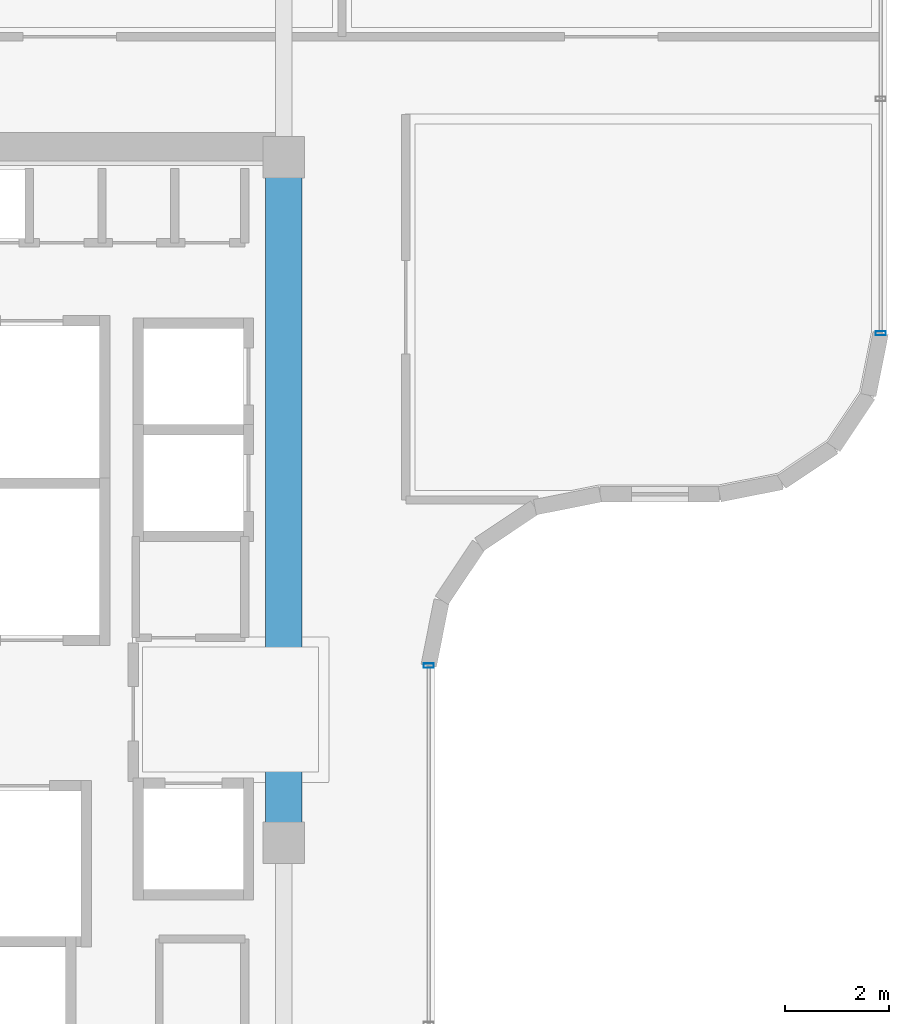
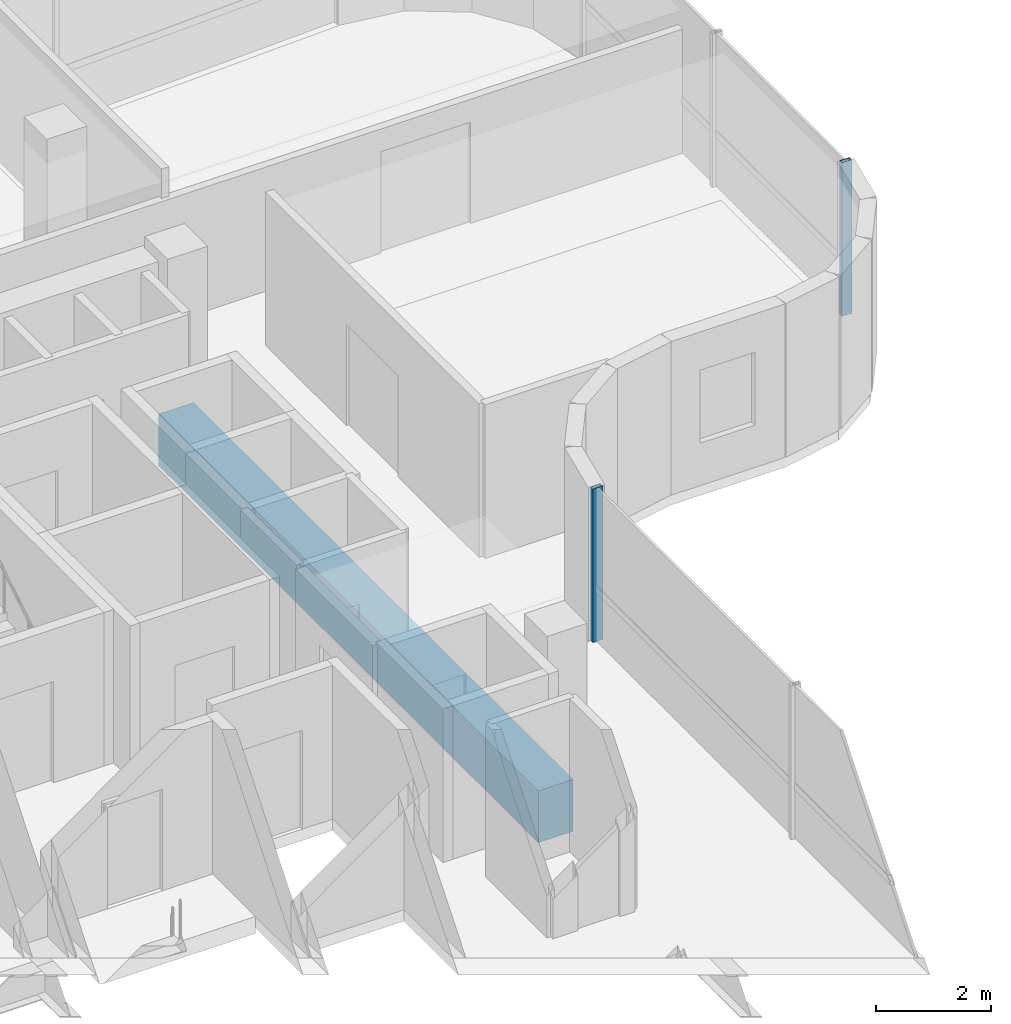
# One storey, part 8 of 18: 2 members, 1 beam, 2 elements without a shape of their own.
"""IFC4 building model written with IfcOpenShell, lengths in metres."""

from ifc_helpers import new_model, si_unit, direction, frame, origin, origin_2d, place, context, subcontext, project, spatial, rectangle, hollow_rectangle, extrude, source, transform, mapped, material, material_profile, profile_set, type_object, element, aggregate, save


model = new_model("IFC4")

# Units and contexts
model_context = context("Model", 3, precision=1e-05, world=origin(), true_north=direction((0.0, 1.0)))
body_context = subcontext(model_context, "Body", "Model", "MODEL_VIEW")
ifc_project = project(units=[si_unit("LENGTHUNIT", "METRE"), si_unit("AREAUNIT", "SQUARE_METRE"), si_unit("VOLUMEUNIT", "CUBIC_METRE"), si_unit("PLANEANGLEUNIT", "RADIAN"), si_unit("MASSUNIT", "GRAM", prefix="KILO")], contexts=[model_context])

# Site, building, storey
site_placement = place(None, origin())
site = spatial("IfcSite", under=ifc_project, at=site_placement, CompositionType="ELEMENT")
building_placement = place(site_placement, origin())
building = spatial("IfcBuilding", under=site, at=building_placement, Name="Valdorenza Pilgrim Sanctuary Tower", CompositionType="ELEMENT")
storey_placement = place(building_placement, frame((0.0, 0.0, 273.0)))
storey = spatial("IfcBuildingStorey", under=building, at=storey_placement, Name="L71", CompositionType="ELEMENT", Elevation=273.0)

# Beam
ifc_material_1 = material(Name="Concrete C50/60", Category="concrete")
ifc_material_profile_1 = material_profile(ifc_material_1, rectangle(XDim=0.699951171875, YDim=1.10009765625, at=origin_2d()), Name="RC 1100x700")
ifc_profile_set_1 = profile_set([ifc_material_profile_1], Name="Concrete C50/60")
beam_type = type_object("IfcBeamType", Name="STR-BM-LNT-1100", PredefinedType="LINTEL", material=ifc_profile_set_1)
shared_shape_1 = source(origin(), body_context, "Body", "SweptSolid", [
    extrude(rectangle(XDim=0.699951171875, YDim=1.10009765625, at=origin_2d()), origin(), (0.0, 0.0, 1.0), 13.2001953125),
])
beam_placement = place(storey_placement, frame((-12.39990234375, -2.60009765625, -0.590087890625), z_axis=(0.0, 1.0, 0.0), x_axis=(-1.0, 0.0, 0.0)))
element("IfcBeam", 1, at=beam_placement, inside=storey, type_object=beam_type, Name="L71 Core A Coupling Lintel Girder", PredefinedType="LINTEL", context=body_context, shape_type="MappedRepresentation", body=[
    mapped(shared_shape_1, transform((0.0, 0.0, 0.0), x_axis=(1.0, 0.0, 0.0), y_axis=(0.0, 1.0, 0.0), z_axis=(0.0, 0.0, 1.0), scale=1.0)),
])

# Curtain wall, member
ifc_material_2 = material(Name="Curtain-wall IGU glazing", Category="glass")
curtain_wall_type = type_object("IfcCurtainWallType", Name="CW-SYS-02", PredefinedType="NOTDEFINED", material=ifc_material_2)
curtain_wall_1_placement = place(storey_placement, origin())
curtain_wall_1 = element("IfcCurtainWall", 2, at=curtain_wall_1_placement, inside=storey, type_object=curtain_wall_type, Name="L71 Curtain Wall CW-L71-1-11", PredefinedType="NOTDEFINED")
ifc_material_3 = material(Name="Anodised aluminium AW-6060", Category="aluminium")
ifc_material_profile_2 = material_profile(ifc_material_3, hollow_rectangle(XDim=0.0849609375, YDim=0.199951171875, WallThickness=0.0048828125, at=origin_2d()), Name="ALU-M 200x85x5")
ifc_profile_set_2 = profile_set([ifc_material_profile_2], Name="Anodised aluminium AW-6060")
member_type = type_object("IfcMemberType", Name="CW-MUL-02", PredefinedType="MULLION", material=ifc_profile_set_2)
shared_shape_2 = source(origin(), body_context, "Body", "SweptSolid", [
    extrude(hollow_rectangle(XDim=0.0849609375, YDim=0.199951171875, WallThickness=0.0048828125, at=origin_2d()), origin(), (0.0, 0.0, 1.0), 3.260009765625),
])
member_1_placement = place(storey_placement, frame((-0.909912109375, 7.210693359375, 0.0), z_axis=(0.0, 0.0, 1.0), x_axis=(0.0, -1.0, 0.0)))
member_1 = element("IfcMember", 3, at=member_1_placement, type_object=member_type, Name="CW-L71-1-11 Mullion 3", PredefinedType="MULLION", context=body_context, shape_type="MappedRepresentation", body=[
    mapped(shared_shape_2, transform((0.0, 0.0, 0.0), x_axis=(1.0, 0.0, 0.0), y_axis=(0.0, 1.0, 0.0), z_axis=(0.0, 0.0, 1.0), scale=1.0)),
])
aggregate(curtain_wall_1, [member_1])

curtain_wall_2_placement = place(storey_placement, origin())
curtain_wall_2 = element("IfcCurtainWall", 4, at=curtain_wall_2_placement, inside=storey, type_object=curtain_wall_type, Name="L71 Curtain Wall CW-L71-1-21", PredefinedType="NOTDEFINED")
member_2_placement = place(storey_placement, frame((-9.610107421875, 0.810791015625, 0.0), z_axis=(0.0, 0.0, 1.0), x_axis=(0.0, -1.0, 0.0)))
member_2 = element("IfcMember", 5, at=member_2_placement, type_object=member_type, Name="CW-L71-1-21 Mullion 1", PredefinedType="MULLION", context=body_context, shape_type="MappedRepresentation", body=[
    mapped(shared_shape_2, transform((0.0, 0.0, 0.0), x_axis=(1.0, 0.0, 0.0), y_axis=(0.0, 1.0, 0.0), z_axis=(0.0, 0.0, 1.0), scale=1.0)),
])
aggregate(curtain_wall_2, [member_2])

save(model, "model.ifc")
